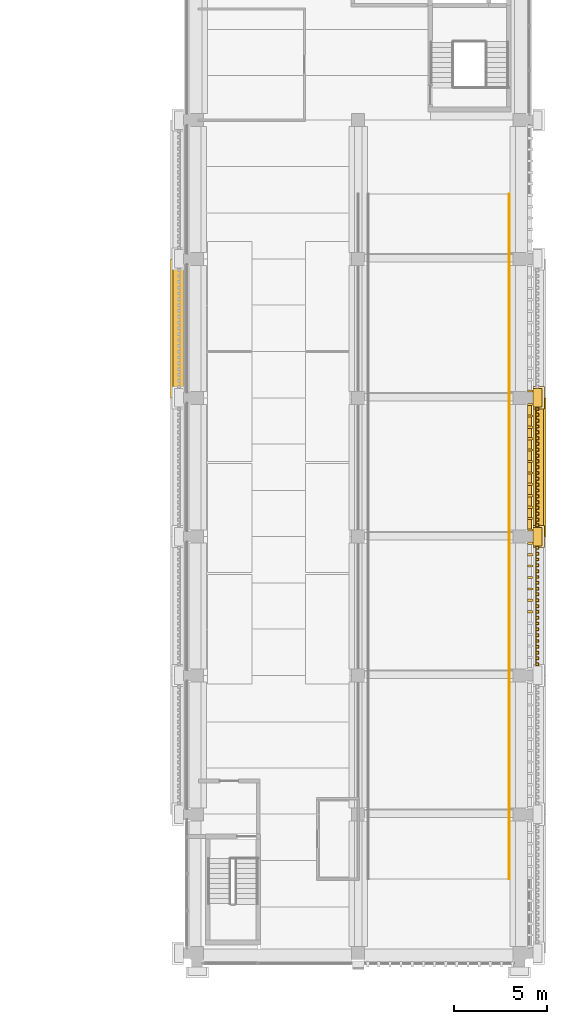
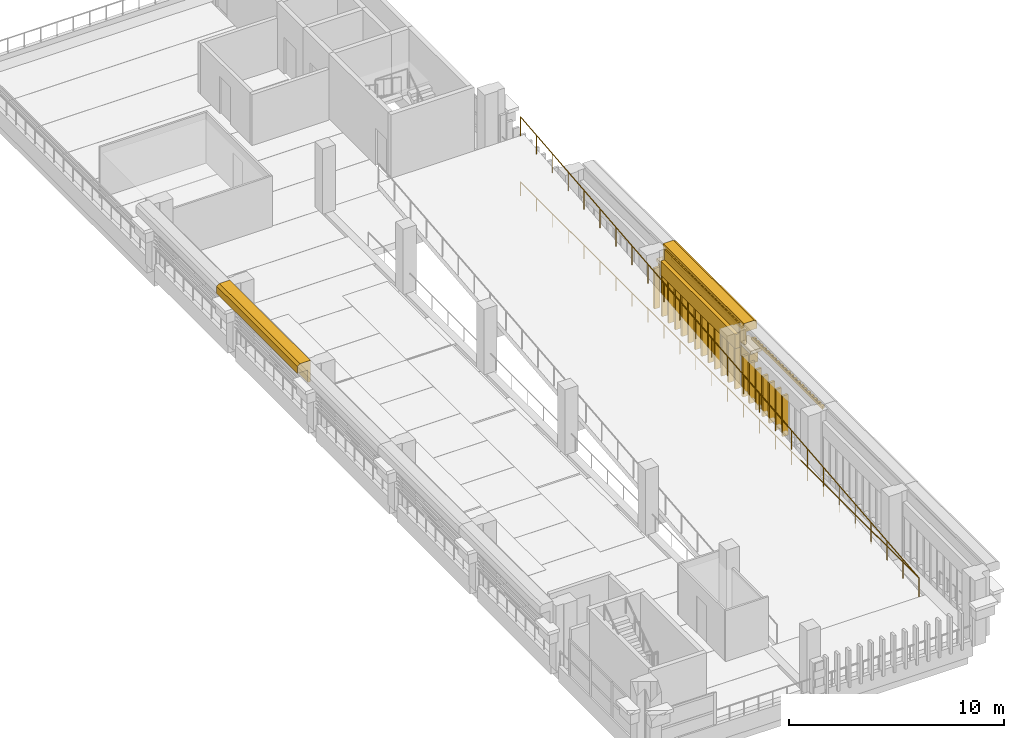
# One storey, part 21 of 25: 29 coverings, 2 railings.
"""IFC4 building model written with IfcOpenShell, lengths in metres."""

from ifc_helpers import new_model, si_unit, direction, frame, origin, origin_2d, place, context, subcontext, project, spatial, polyline, circle, outline, extrude, material, layer, layer_set, type_object, element, save


model = new_model("IFC4")

# Units and contexts
model_context = context("Model", 3, precision=1e-05, world=origin(), true_north=direction((0.0, 1.0)))
body_context = subcontext(model_context, "Body", "Model", "MODEL_VIEW")
ifc_project = project(units=[si_unit("LENGTHUNIT", "METRE"), si_unit("AREAUNIT", "SQUARE_METRE"), si_unit("VOLUMEUNIT", "CUBIC_METRE"), si_unit("PLANEANGLEUNIT", "RADIAN"), si_unit("MASSUNIT", "GRAM", prefix="KILO")], contexts=[model_context])

# Site, building, storey
site_placement = place(None, origin())
site = spatial("IfcSite", under=ifc_project, at=site_placement, CompositionType="ELEMENT")
building_placement = place(site_placement, origin())
building = spatial("IfcBuilding", under=site, at=building_placement, Name="Cour d'Honneur Mobility Palace", CompositionType="ELEMENT")
storey_placement = place(building_placement, frame((0.0, 0.0, 30.39990234375)))
storey = spatial("IfcBuildingStorey", under=building, at=storey_placement, Name="L08", CompositionType="ELEMENT", Elevation=30.39990234375)

# Coverings
ifc_material_1 = material(Name="Cast limestone", Category="masonry")
ifc_layer_1 = layer(ifc_material_1, 0.14990234375)
ifc_layer_set_1 = layer_set([ifc_layer_1], Name="Cast limestone")
covering_type_1 = type_object("IfcCoveringType", Name="Dentil course", PredefinedType="CLADDING", material=ifc_layer_set_1)
covering_1_placement = place(storey_placement, frame((0.0, 0.0, 3.150146484375)))
element("IfcCovering", 1, at=covering_1_placement, inside=storey, type_object=covering_type_1, Name="Dentil course DC-135", PredefinedType="CLADDING", context=body_context, shape_type="SweptSolid", body=[
    extrude(outline(polyline([(163.199951171875, 15.449951171875), (163.199951171875, 22.050048828125), (163.22998046875, 22.050048828125), (163.22998046875, 22.050048828125), (163.22998046875, 21.971435546875), (163.35009765625, 21.971435546875), (163.35009765625, 21.814208984375), (163.22998046875, 21.814208984375), (163.22998046875, 21.735595703125), (163.22998046875, 21.735595703125), (163.22998046875, 21.6572265625), (163.35009765625, 21.6572265625), (163.35009765625, 21.5), (163.22998046875, 21.5), (163.22998046875, 21.42138671875), (163.22998046875, 21.42138671875), (163.22998046875, 21.3427734375), (163.35009765625, 21.3427734375), (163.35009765625, 21.185791015625), (163.22998046875, 21.185791015625), (163.22998046875, 21.107177734375), (163.22998046875, 21.107177734375), (163.22998046875, 21.028564453125), (163.35009765625, 21.028564453125), (163.35009765625, 20.871337890625), (163.22998046875, 20.871337890625), (163.22998046875, 20.79296875), (163.22998046875, 20.79296875), (163.22998046875, 20.71435546875), (163.35009765625, 20.71435546875), (163.35009765625, 20.55712890625), (163.22998046875, 20.55712890625), (163.22998046875, 20.478515625), (163.22998046875, 20.478515625), (163.22998046875, 20.39990234375), (163.35009765625, 20.39990234375), (163.35009765625, 20.242919921875), (163.22998046875, 20.242919921875), (163.22998046875, 20.164306640625), (163.22998046875, 20.164306640625), (163.22998046875, 20.085693359375), (163.35009765625, 20.085693359375), (163.35009765625, 19.928466796875), (163.22998046875, 19.928466796875), (163.22998046875, 19.85009765625), (163.22998046875, 19.85009765625), (163.22998046875, 19.771484375), (163.35009765625, 19.771484375), (163.35009765625, 19.6142578125), (163.22998046875, 19.6142578125), (163.22998046875, 19.53564453125), (163.22998046875, 19.53564453125), (163.22998046875, 19.45703125), (163.35009765625, 19.45703125), (163.35009765625, 19.300048828125), (163.22998046875, 19.300048828125), (163.22998046875, 19.221435546875), (163.22998046875, 19.221435546875), (163.22998046875, 19.142822265625), (163.35009765625, 19.142822265625), (163.35009765625, 18.985595703125), (163.22998046875, 18.985595703125), (163.22998046875, 18.9072265625), (163.22998046875, 18.9072265625), (163.22998046875, 18.82861328125), (163.35009765625, 18.82861328125), (163.35009765625, 18.67138671875), (163.22998046875, 18.67138671875), (163.22998046875, 18.5927734375), (163.22998046875, 18.5927734375), (163.22998046875, 18.514404296875), (163.35009765625, 18.514404296875), (163.35009765625, 18.357177734375), (163.22998046875, 18.357177734375), (163.22998046875, 18.278564453125), (163.22998046875, 18.278564453125), (163.22998046875, 18.199951171875), (163.35009765625, 18.199951171875), (163.35009765625, 18.04296875), (163.22998046875, 18.04296875), (163.22998046875, 17.96435546875), (163.22998046875, 17.96435546875), (163.22998046875, 17.8857421875), (163.35009765625, 17.8857421875), (163.35009765625, 17.728515625), (163.22998046875, 17.728515625), (163.22998046875, 17.64990234375), (163.22998046875, 17.64990234375), (163.22998046875, 17.571533203125), (163.35009765625, 17.571533203125), (163.35009765625, 17.414306640625), (163.22998046875, 17.414306640625), (163.22998046875, 17.335693359375), (163.22998046875, 17.335693359375), (163.22998046875, 17.257080078125), (163.35009765625, 17.257080078125), (163.35009765625, 17.10009765625), (163.22998046875, 17.10009765625), (163.22998046875, 17.021484375), (163.22998046875, 17.021484375), (163.22998046875, 16.94287109375), (163.35009765625, 16.94287109375), (163.35009765625, 16.78564453125), (163.22998046875, 16.78564453125), (163.22998046875, 16.70703125), (163.22998046875, 16.70703125), (163.22998046875, 16.628662109375), (163.35009765625, 16.628662109375), (163.35009765625, 16.471435546875), (163.22998046875, 16.471435546875), (163.22998046875, 16.392822265625), (163.22998046875, 16.392822265625), (163.22998046875, 16.314208984375), (163.35009765625, 16.314208984375), (163.35009765625, 16.1572265625), (163.22998046875, 16.1572265625), (163.22998046875, 16.07861328125), (163.22998046875, 16.07861328125), (163.22998046875, 16.0), (163.35009765625, 16.0), (163.35009765625, 15.8427734375), (163.22998046875, 15.8427734375), (163.22998046875, 15.764404296875), (163.22998046875, 15.764404296875), (163.22998046875, 15.685791015625), (163.35009765625, 15.685791015625), (163.35009765625, 15.528564453125), (163.22998046875, 15.528564453125), (163.22998046875, 15.449951171875), (163.199951171875, 15.449951171875)])), origin(), (0.0, 0.0, 1.0), 0.14990234375),
])
covering_2_placement = place(storey_placement, frame((0.0, 0.0, 3.150146484375)))
element("IfcCovering", 2, at=covering_2_placement, inside=storey, type_object=covering_type_1, Name="Dentil course DC-136", PredefinedType="CLADDING", context=body_context, shape_type="SweptSolid", body=[
    extrude(outline(polyline([(163.199951171875, 22.949951171875), (163.199951171875, 29.550048828125), (163.22998046875, 29.550048828125), (163.22998046875, 29.550048828125), (163.22998046875, 29.471435546875), (163.35009765625, 29.471435546875), (163.35009765625, 29.314208984375), (163.22998046875, 29.314208984375), (163.22998046875, 29.235595703125), (163.22998046875, 29.235595703125), (163.22998046875, 29.1572265625), (163.35009765625, 29.1572265625), (163.35009765625, 29.0), (163.22998046875, 29.0), (163.22998046875, 28.92138671875), (163.22998046875, 28.92138671875), (163.22998046875, 28.8427734375), (163.35009765625, 28.8427734375), (163.35009765625, 28.685791015625), (163.22998046875, 28.685791015625), (163.22998046875, 28.607177734375), (163.22998046875, 28.607177734375), (163.22998046875, 28.528564453125), (163.35009765625, 28.528564453125), (163.35009765625, 28.371337890625), (163.22998046875, 28.371337890625), (163.22998046875, 28.29296875), (163.22998046875, 28.29296875), (163.22998046875, 28.21435546875), (163.35009765625, 28.21435546875), (163.35009765625, 28.05712890625), (163.22998046875, 28.05712890625), (163.22998046875, 27.978515625), (163.22998046875, 27.978515625), (163.22998046875, 27.89990234375), (163.35009765625, 27.89990234375), (163.35009765625, 27.742919921875), (163.22998046875, 27.742919921875), (163.22998046875, 27.664306640625), (163.22998046875, 27.664306640625), (163.22998046875, 27.585693359375), (163.35009765625, 27.585693359375), (163.35009765625, 27.428466796875), (163.22998046875, 27.428466796875), (163.22998046875, 27.35009765625), (163.22998046875, 27.35009765625), (163.22998046875, 27.271484375), (163.35009765625, 27.271484375), (163.35009765625, 27.1142578125), (163.22998046875, 27.1142578125), (163.22998046875, 27.03564453125), (163.22998046875, 27.03564453125), (163.22998046875, 26.95703125), (163.35009765625, 26.95703125), (163.35009765625, 26.800048828125), (163.22998046875, 26.800048828125), (163.22998046875, 26.721435546875), (163.22998046875, 26.721435546875), (163.22998046875, 26.642822265625), (163.35009765625, 26.642822265625), (163.35009765625, 26.485595703125), (163.22998046875, 26.485595703125), (163.22998046875, 26.4072265625), (163.22998046875, 26.4072265625), (163.22998046875, 26.32861328125), (163.35009765625, 26.32861328125), (163.35009765625, 26.17138671875), (163.22998046875, 26.17138671875), (163.22998046875, 26.0927734375), (163.22998046875, 26.0927734375), (163.22998046875, 26.014404296875), (163.35009765625, 26.014404296875), (163.35009765625, 25.857177734375), (163.22998046875, 25.857177734375), (163.22998046875, 25.778564453125), (163.22998046875, 25.778564453125), (163.22998046875, 25.699951171875), (163.35009765625, 25.699951171875), (163.35009765625, 25.54296875), (163.22998046875, 25.54296875), (163.22998046875, 25.46435546875), (163.22998046875, 25.46435546875), (163.22998046875, 25.3857421875), (163.35009765625, 25.3857421875), (163.35009765625, 25.228515625), (163.22998046875, 25.228515625), (163.22998046875, 25.14990234375), (163.22998046875, 25.14990234375), (163.22998046875, 25.071533203125), (163.35009765625, 25.071533203125), (163.35009765625, 24.914306640625), (163.22998046875, 24.914306640625), (163.22998046875, 24.835693359375), (163.22998046875, 24.835693359375), (163.22998046875, 24.757080078125), (163.35009765625, 24.757080078125), (163.35009765625, 24.60009765625), (163.22998046875, 24.60009765625), (163.22998046875, 24.521484375), (163.22998046875, 24.521484375), (163.22998046875, 24.44287109375), (163.35009765625, 24.44287109375), (163.35009765625, 24.28564453125), (163.22998046875, 24.28564453125), (163.22998046875, 24.20703125), (163.22998046875, 24.20703125), (163.22998046875, 24.128662109375), (163.35009765625, 24.128662109375), (163.35009765625, 23.971435546875), (163.22998046875, 23.971435546875), (163.22998046875, 23.892822265625), (163.22998046875, 23.892822265625), (163.22998046875, 23.814208984375), (163.35009765625, 23.814208984375), (163.35009765625, 23.6572265625), (163.22998046875, 23.6572265625), (163.22998046875, 23.57861328125), (163.22998046875, 23.57861328125), (163.22998046875, 23.5), (163.35009765625, 23.5), (163.35009765625, 23.3427734375), (163.22998046875, 23.3427734375), (163.22998046875, 23.264404296875), (163.22998046875, 23.264404296875), (163.22998046875, 23.185791015625), (163.35009765625, 23.185791015625), (163.35009765625, 23.028564453125), (163.22998046875, 23.028564453125), (163.22998046875, 22.949951171875), (163.199951171875, 22.949951171875)])), origin(), (0.0, 0.0, 1.0), 0.14990234375),
])
ifc_material_2 = material(Name="Cast limestone", Category="masonry")
ifc_layer_2 = layer(ifc_material_2, 0.699951171875)
ifc_layer_set_2 = layer_set([ifc_layer_2], Name="Cast limestone")
covering_type_2 = type_object("IfcCoveringType", Name="Entablature", PredefinedType="CLADDING", material=ifc_layer_set_2)
covering_3_placement = place(storey_placement, frame((163.050048828125, 22.5, 2.60009765625), z_axis=(0.0, -1.0, 0.0), x_axis=(1.0, 0.0, 0.0)))
element("IfcCovering", 3, at=covering_3_placement, inside=storey, type_object=covering_type_2, Name="Entablature EN-136", PredefinedType="CLADDING", context=body_context, shape_type="SweptSolid", body=[
    extrude(outline(polyline([(0.0, 0.0), (0.14990234375, 0.0), (0.14990234375, 0.699951171875), (0.699951171875, 0.699951171875), (0.699951171875, 1.10009765625), (0.550048828125, 1.199951171875), (0.0, 1.199951171875), (0.0, 0.0)])), origin(), (0.0, 0.0, -1.0), 7.5),
])
covering_4_placement = place(storey_placement, frame((144.14990234375, 37.5, 2.60009765625), z_axis=(0.0, 1.0, 0.0), x_axis=(-1.0, 0.0, 0.0)))
element("IfcCovering", 4, at=covering_4_placement, inside=storey, type_object=covering_type_2, Name="Entablature EN-139", PredefinedType="CLADDING", context=body_context, shape_type="SweptSolid", body=[
    extrude(outline(polyline([(0.0, 0.0), (0.14990234375, 0.0), (0.14990234375, 0.699951171875), (0.699951171875, 0.699951171875), (0.699951171875, 1.10009765625), (0.5498046875, 1.199951171875), (0.0, 1.199951171875), (0.0, 0.0)])), origin(), (0.0, 0.0, -1.0), 7.5),
])
ifc_material_3 = material(Name="Cast limestone", Category="masonry")
ifc_layer_3 = layer(ifc_material_3, 0.1201171875)
ifc_layer_set_3 = layer_set([ifc_layer_3], Name="Cast limestone")
covering_type_3 = type_object("IfcCoveringType", Name="Pilaster capital", PredefinedType="CLADDING", material=ifc_layer_set_3)
covering_5_placement = place(storey_placement, frame((0.0, 0.0, 1.800048828125)))
element("IfcCovering", 5, at=covering_5_placement, inside=storey, type_object=covering_type_3, Name="Pilaster capital PK-79", PredefinedType="CLADDING", context=body_context, shape_type="SweptSolid", body=[
    extrude(outline(polyline([(163.050048828125, 22.0), (163.050048828125, 23.0), (163.52001953125, 23.0), (163.52001953125, 22.0), (163.050048828125, 22.0)])), origin(), (0.0, 0.0, 1.0), 0.6201171875),
])
covering_6_placement = place(storey_placement, frame((0.0, 0.0, 2.420166015625)))
element("IfcCovering", 6, at=covering_6_placement, inside=storey, type_object=covering_type_3, Name="Pilaster capital PK-80", PredefinedType="CLADDING", context=body_context, shape_type="SweptSolid", body=[
    extrude(outline(polyline([(163.050048828125, 21.89990234375), (163.050048828125, 23.10009765625), (163.64990234375, 23.10009765625), (163.64990234375, 21.89990234375), (163.050048828125, 21.89990234375)])), origin(), (0.0, 0.0, 1.0), 0.179931640625),
])
covering_7_placement = place(storey_placement, frame((0.0, 0.0, 1.800048828125)))
element("IfcCovering", 7, at=covering_7_placement, inside=storey, type_object=covering_type_3, Name="Pilaster capital PK-81", PredefinedType="CLADDING", context=body_context, shape_type="SweptSolid", body=[
    extrude(outline(polyline([(163.050048828125, 29.5), (163.050048828125, 30.5), (163.52001953125, 30.5), (163.52001953125, 29.5), (163.050048828125, 29.5)])), origin(), (0.0, 0.0, 1.0), 0.6201171875),
])
covering_8_placement = place(storey_placement, frame((0.0, 0.0, 2.420166015625)))
element("IfcCovering", 8, at=covering_8_placement, inside=storey, type_object=covering_type_3, Name="Pilaster capital PK-82", PredefinedType="CLADDING", context=body_context, shape_type="SweptSolid", body=[
    extrude(outline(polyline([(163.050048828125, 29.39990234375), (163.050048828125, 30.60009765625), (163.64990234375, 30.60009765625), (163.64990234375, 29.39990234375), (163.050048828125, 29.39990234375)])), origin(), (0.0, 0.0, 1.0), 0.179931640625),
])

# Railing
ifc_material_4 = material(Name="Painted steel", Category="steel")
railing_type_1 = type_object("IfcRailingType", Name="Ramp guard 1100", PredefinedType="GUARDRAIL", material=ifc_material_4)
railing_1_placement = place(storey_placement, frame((161.75, 4.0, 0.0)))
element("IfcRailing", 9, at=railing_1_placement, inside=storey, type_object=railing_type_1, Name="Ramp guard Ramp East 9", PredefinedType="GUARDRAIL", context=body_context, shape_type="SweptSolid", body=[
    extrude(circle(Radius=0.02490234375, at=origin_2d()), frame((0.0, 0.0, 1.0751953125), z_axis=(0.0, 0.995036670145, 0.099508919531), x_axis=(-1.0, 0.0, 0.0)), (0.0, 0.0, 1.0), 37.1845703125),
    extrude(circle(Radius=0.02099609375, at=origin_2d()), origin(), (0.0, 0.0, 1.0), 1.050048828125),
    extrude(circle(Radius=0.02099609375, at=origin_2d()), frame((0.0, 1.47998046875, 0.14794921875)), (0.0, 0.0, 1.0), 1.050048828125),
    extrude(circle(Radius=0.02099609375, at=origin_2d()), frame((0.0, 2.9599609375, 0.2958984375)), (0.0, 0.0, 1.0), 1.050048828125),
    extrude(circle(Radius=0.02099609375, at=origin_2d()), frame((0.0, 4.43994140625, 0.444091796875)), (0.0, 0.0, 1.0), 1.050048828125),
    extrude(circle(Radius=0.02099609375, at=origin_2d()), frame((0.0, 5.919921875, 0.592041015625)), (0.0, 0.0, 1.0), 1.050048828125),
    extrude(circle(Radius=0.02099609375, at=origin_2d()), frame((0.0, 7.39990234375, 0.739990234375)), (0.0, 0.0, 1.0), 1.050048828125),
    extrude(circle(Radius=0.02099609375, at=origin_2d()), frame((0.0, 8.8798828125, 0.887939453125)), (0.0, 0.0, 1.0), 1.050048828125),
    extrude(circle(Radius=0.02099609375, at=origin_2d()), frame((0.0, 10.360107421875, 1.0361328125)), (0.0, 0.0, 1.0), 1.050048828125),
    extrude(circle(Radius=0.02099609375, at=origin_2d()), frame((0.0, 11.840087890625, 1.18408203125)), (0.0, 0.0, 1.0), 1.050048828125),
    extrude(circle(Radius=0.02099609375, at=origin_2d()), frame((0.0, 13.320068359375, 1.33203125)), (0.0, 0.0, 1.0), 1.050048828125),
    extrude(circle(Radius=0.02099609375, at=origin_2d()), frame((0.0, 14.800048828125, 1.47998046875)), (0.0, 0.0, 1.0), 1.050048828125),
    extrude(circle(Radius=0.02099609375, at=origin_2d()), frame((0.0, 16.280029296875, 1.628173828125)), (0.0, 0.0, 1.0), 1.050048828125),
    extrude(circle(Radius=0.02099609375, at=origin_2d()), frame((0.0, 17.760009765625, 1.776123046875)), (0.0, 0.0, 1.0), 1.050048828125),
    extrude(circle(Radius=0.02099609375, at=origin_2d()), frame((0.0, 19.239990234375, 1.924072265625)), (0.0, 0.0, 1.0), 1.050048828125),
    extrude(circle(Radius=0.02099609375, at=origin_2d()), frame((0.0, 20.719970703125, 2.072021484375)), (0.0, 0.0, 1.0), 1.050048828125),
    extrude(circle(Radius=0.02099609375, at=origin_2d()), frame((0.0, 22.199951171875, 2.22021484375)), (0.0, 0.0, 1.0), 1.050048828125),
    extrude(circle(Radius=0.02099609375, at=origin_2d()), frame((0.0, 23.679931640625, 2.3681640625)), (0.0, 0.0, 1.0), 1.050048828125),
    extrude(circle(Radius=0.02099609375, at=origin_2d()), frame((0.0, 25.159912109375, 2.51611328125)), (0.0, 0.0, 1.0), 1.050048828125),
    extrude(circle(Radius=0.02099609375, at=origin_2d()), frame((0.0, 26.639892578125, 2.6640625)), (0.0, 0.0, 1.0), 1.050048828125),
    extrude(circle(Radius=0.02099609375, at=origin_2d()), frame((0.0, 28.1201171875, 2.812255859375)), (0.0, 0.0, 1.0), 1.050048828125),
    extrude(circle(Radius=0.02099609375, at=origin_2d()), frame((0.0, 29.60009765625, 2.960205078125)), (0.0, 0.0, 1.0), 1.050048828125),
    extrude(circle(Radius=0.02099609375, at=origin_2d()), frame((0.0, 31.080078125, 3.108154296875)), (0.0, 0.0, 1.0), 1.050048828125),
    extrude(circle(Radius=0.02099609375, at=origin_2d()), frame((0.0, 32.56005859375, 3.256103515625)), (0.0, 0.0, 1.0), 1.050048828125),
    extrude(circle(Radius=0.02099609375, at=origin_2d()), frame((0.0, 34.0400390625, 3.404296875)), (0.0, 0.0, 1.0), 1.050048828125),
    extrude(circle(Radius=0.02099609375, at=origin_2d()), frame((0.0, 35.52001953125, 3.55224609375)), (0.0, 0.0, 1.0), 1.050048828125),
    extrude(circle(Radius=0.02099609375, at=origin_2d()), frame((0.0, 37.0, 3.7001953125)), (0.0, 0.0, 1.0), 1.050048828125),
])

# Coverings
ifc_material_5 = material(Name="Cast limestone", Category="masonry")
ifc_layer_4 = layer(ifc_material_5, 0.1201171875)
ifc_layer_set_4 = layer_set([ifc_layer_4], Name="Cast limestone")
covering_type_4 = type_object("IfcCoveringType", Name="Ramp screen fin", PredefinedType="CLADDING", material=ifc_layer_set_4)
covering_9_placement = place(storey_placement, origin())
element("IfcCovering", 10, at=covering_9_placement, inside=storey, type_object=covering_type_4, Name="Ramp screen fin E5.2 L08 6", PredefinedType="CLADDING", context=body_context, shape_type="SweptSolid", body=[
    extrude(outline(polyline([(162.75, 18.3818359375), (162.75, 18.501708984375), (163.050048828125, 18.501708984375), (163.050048828125, 18.3818359375), (162.75, 18.3818359375)])), origin(), (0.0, 0.0, 1.0), 2.300048828125),
])
covering_10_placement = place(storey_placement, origin())
element("IfcCovering", 11, at=covering_10_placement, inside=storey, type_object=covering_type_4, Name="Ramp screen fin E5.2 L08 7", PredefinedType="CLADDING", context=body_context, shape_type="SweptSolid", body=[
    extrude(outline(polyline([(162.75, 18.998291015625), (162.75, 19.1181640625), (163.050048828125, 19.1181640625), (163.050048828125, 18.998291015625), (162.75, 18.998291015625)])), origin(), (0.0, 0.0, 1.0), 2.300048828125),
])
covering_11_placement = place(storey_placement, origin())
element("IfcCovering", 12, at=covering_11_placement, inside=storey, type_object=covering_type_4, Name="Ramp screen fin E5.2 L08 8", PredefinedType="CLADDING", context=body_context, shape_type="SweptSolid", body=[
    extrude(outline(polyline([(162.75, 19.614501953125), (162.75, 19.734619140625), (163.050048828125, 19.734619140625), (163.050048828125, 19.614501953125), (162.75, 19.614501953125)])), origin(), (0.0, 0.0, 1.0), 2.300048828125),
])
covering_12_placement = place(storey_placement, origin())
element("IfcCovering", 13, at=covering_12_placement, inside=storey, type_object=covering_type_4, Name="Ramp screen fin E5.2 L08 9", PredefinedType="CLADDING", context=body_context, shape_type="SweptSolid", body=[
    extrude(outline(polyline([(162.75, 20.23095703125), (162.75, 20.350830078125), (163.050048828125, 20.350830078125), (163.050048828125, 20.23095703125), (162.75, 20.23095703125)])), origin(), (0.0, 0.0, 1.0), 2.300048828125),
])
covering_13_placement = place(storey_placement, origin())
element("IfcCovering", 14, at=covering_13_placement, inside=storey, type_object=covering_type_4, Name="Ramp screen fin E5.2 L08 10", PredefinedType="CLADDING", context=body_context, shape_type="SweptSolid", body=[
    extrude(outline(polyline([(162.75, 20.84716796875), (162.75, 20.96728515625), (163.050048828125, 20.96728515625), (163.050048828125, 20.84716796875), (162.75, 20.84716796875)])), origin(), (0.0, 0.0, 1.0), 2.300048828125),
])
covering_14_placement = place(storey_placement, origin())
element("IfcCovering", 15, at=covering_14_placement, inside=storey, type_object=covering_type_4, Name="Ramp screen fin E5.2 L08 11", PredefinedType="CLADDING", context=body_context, shape_type="SweptSolid", body=[
    extrude(outline(polyline([(162.75, 21.463623046875), (162.75, 21.583740234375), (163.050048828125, 21.583740234375), (163.050048828125, 21.463623046875), (162.75, 21.463623046875)])), origin(), (0.0, 0.0, 1.0), 2.300048828125),
])
covering_15_placement = place(storey_placement, origin())
element("IfcCovering", 16, at=covering_15_placement, inside=storey, type_object=covering_type_4, Name="Ramp screen fin E5.2 L08 12", PredefinedType="CLADDING", context=body_context, shape_type="SweptSolid", body=[
    extrude(outline(polyline([(162.75, 22.080078125), (162.75, 22.199951171875), (163.050048828125, 22.199951171875), (163.050048828125, 22.080078125), (162.75, 22.080078125)])), origin(), (0.0, 0.0, 1.0), 2.300048828125),
])
covering_16_placement = place(storey_placement, origin())
element("IfcCovering", 17, at=covering_16_placement, inside=storey, type_object=covering_type_4, Name="Ramp screen fin E5.3 L08 1", PredefinedType="CLADDING", context=body_context, shape_type="SweptSolid", body=[
    extrude(outline(polyline([(162.75, 22.800048828125), (162.75, 22.919921875), (163.050048828125, 22.919921875), (163.050048828125, 22.800048828125), (162.75, 22.800048828125)])), origin(), (0.0, 0.0, 1.0), 2.300048828125),
])
covering_17_placement = place(storey_placement, origin())
element("IfcCovering", 18, at=covering_17_placement, inside=storey, type_object=covering_type_4, Name="Ramp screen fin E5.3 L08 2", PredefinedType="CLADDING", context=body_context, shape_type="SweptSolid", body=[
    extrude(outline(polyline([(162.75, 23.416259765625), (162.75, 23.536376953125), (163.050048828125, 23.536376953125), (163.050048828125, 23.416259765625), (162.75, 23.416259765625)])), origin(), (0.0, 0.0, 1.0), 2.300048828125),
])
covering_18_placement = place(storey_placement, origin())
element("IfcCovering", 19, at=covering_18_placement, inside=storey, type_object=covering_type_4, Name="Ramp screen fin E5.3 L08 3", PredefinedType="CLADDING", context=body_context, shape_type="SweptSolid", body=[
    extrude(outline(polyline([(162.75, 24.03271484375), (162.75, 24.15283203125), (163.050048828125, 24.15283203125), (163.050048828125, 24.03271484375), (162.75, 24.03271484375)])), origin(), (0.0, 0.0, 1.0), 2.300048828125),
])
covering_19_placement = place(storey_placement, origin())
element("IfcCovering", 20, at=covering_19_placement, inside=storey, type_object=covering_type_4, Name="Ramp screen fin E5.3 L08 4", PredefinedType="CLADDING", context=body_context, shape_type="SweptSolid", body=[
    extrude(outline(polyline([(162.75, 24.649169921875), (162.75, 24.76904296875), (163.050048828125, 24.76904296875), (163.050048828125, 24.649169921875), (162.75, 24.649169921875)])), origin(), (0.0, 0.0, 1.0), 2.300048828125),
])
covering_20_placement = place(storey_placement, origin())
element("IfcCovering", 21, at=covering_20_placement, inside=storey, type_object=covering_type_4, Name="Ramp screen fin E5.3 L08 5", PredefinedType="CLADDING", context=body_context, shape_type="SweptSolid", body=[
    extrude(outline(polyline([(162.75, 25.265380859375), (162.75, 25.385498046875), (163.050048828125, 25.385498046875), (163.050048828125, 25.265380859375), (162.75, 25.265380859375)])), origin(), (0.0, 0.0, 1.0), 2.300048828125),
])
covering_21_placement = place(storey_placement, origin())
element("IfcCovering", 22, at=covering_21_placement, inside=storey, type_object=covering_type_4, Name="Ramp screen fin E5.3 L08 6", PredefinedType="CLADDING", context=body_context, shape_type="SweptSolid", body=[
    extrude(outline(polyline([(162.75, 25.8818359375), (162.75, 26.001708984375), (163.050048828125, 26.001708984375), (163.050048828125, 25.8818359375), (162.75, 25.8818359375)])), origin(), (0.0, 0.0, 1.0), 2.300048828125),
])
covering_22_placement = place(storey_placement, origin())
element("IfcCovering", 23, at=covering_22_placement, inside=storey, type_object=covering_type_4, Name="Ramp screen fin E5.3 L08 7", PredefinedType="CLADDING", context=body_context, shape_type="SweptSolid", body=[
    extrude(outline(polyline([(162.75, 26.498291015625), (162.75, 26.6181640625), (163.050048828125, 26.6181640625), (163.050048828125, 26.498291015625), (162.75, 26.498291015625)])), origin(), (0.0, 0.0, 1.0), 2.300048828125),
])
covering_23_placement = place(storey_placement, origin())
element("IfcCovering", 24, at=covering_23_placement, inside=storey, type_object=covering_type_4, Name="Ramp screen fin E5.3 L08 8", PredefinedType="CLADDING", context=body_context, shape_type="SweptSolid", body=[
    extrude(outline(polyline([(162.75, 27.114501953125), (162.75, 27.234619140625), (163.050048828125, 27.234619140625), (163.050048828125, 27.114501953125), (162.75, 27.114501953125)])), origin(), (0.0, 0.0, 1.0), 2.300048828125),
])
covering_24_placement = place(storey_placement, origin())
element("IfcCovering", 25, at=covering_24_placement, inside=storey, type_object=covering_type_4, Name="Ramp screen fin E5.3 L08 9", PredefinedType="CLADDING", context=body_context, shape_type="SweptSolid", body=[
    extrude(outline(polyline([(162.75, 27.73095703125), (162.75, 27.850830078125), (163.050048828125, 27.850830078125), (163.050048828125, 27.73095703125), (162.75, 27.73095703125)])), origin(), (0.0, 0.0, 1.0), 2.300048828125),
])
covering_25_placement = place(storey_placement, origin())
element("IfcCovering", 26, at=covering_25_placement, inside=storey, type_object=covering_type_4, Name="Ramp screen fin E5.3 L08 10", PredefinedType="CLADDING", context=body_context, shape_type="SweptSolid", body=[
    extrude(outline(polyline([(162.75, 28.34716796875), (162.75, 28.46728515625), (163.050048828125, 28.46728515625), (163.050048828125, 28.34716796875), (162.75, 28.34716796875)])), origin(), (0.0, 0.0, 1.0), 2.300048828125),
])
covering_26_placement = place(storey_placement, origin())
element("IfcCovering", 27, at=covering_26_placement, inside=storey, type_object=covering_type_4, Name="Ramp screen fin E5.3 L08 11", PredefinedType="CLADDING", context=body_context, shape_type="SweptSolid", body=[
    extrude(outline(polyline([(162.75, 28.963623046875), (162.75, 29.083740234375), (163.050048828125, 29.083740234375), (163.050048828125, 28.963623046875), (162.75, 28.963623046875)])), origin(), (0.0, 0.0, 1.0), 2.300048828125),
])
covering_27_placement = place(storey_placement, origin())
element("IfcCovering", 28, at=covering_27_placement, inside=storey, type_object=covering_type_4, Name="Ramp screen fin E5.3 L08 12", PredefinedType="CLADDING", context=body_context, shape_type="SweptSolid", body=[
    extrude(outline(polyline([(162.75, 29.580078125), (162.75, 29.699951171875), (163.050048828125, 29.699951171875), (163.050048828125, 29.580078125), (162.75, 29.580078125)])), origin(), (0.0, 0.0, 1.0), 2.300048828125),
])
covering_28_placement = place(storey_placement, origin())
element("IfcCovering", 29, at=covering_28_placement, inside=storey, type_object=covering_type_4, Name="Ramp screen fin E5.4 L08 1", PredefinedType="CLADDING", context=body_context, shape_type="SweptSolid", body=[
    extrude(outline(polyline([(162.75, 30.300048828125), (162.75, 30.419921875), (163.050048828125, 30.419921875), (163.050048828125, 30.300048828125), (162.75, 30.300048828125)])), origin(), (0.0, 0.0, 1.0), 2.300048828125),
])
ifc_material_6 = material(Name="Cast limestone", Category="masonry")
ifc_layer_5 = layer(ifc_material_6, 0.25)
ifc_layer_set_5 = layer_set([ifc_layer_5], Name="Cast limestone")
covering_type_5 = type_object("IfcCoveringType", Name="Spandrel cladding", PredefinedType="CLADDING", material=ifc_layer_set_5)
covering_29_placement = place(storey_placement, frame((162.75, 22.800048828125, 2.300048828125), z_axis=(0.0, -1.0, 0.0), x_axis=(1.0, 0.0, 0.0)))
element("IfcCovering", 30, at=covering_29_placement, inside=storey, type_object=covering_type_5, Name="Spandrel cladding SK-403", PredefinedType="CLADDING", context=body_context, shape_type="SweptSolid", body=[
    extrude(outline(polyline([(0.0, 0.0), (0.25, 0.0), (0.25, 1.400146484375), (0.199951171875, 1.400146484375), (0.199951171875, 0.800048828125), (0.0, 0.800048828125), (0.0, 0.0)])), origin(), (0.0, 0.0, -1.0), 6.89990234375),
])

# Railing
ifc_material_7 = material(Name="Painted steel", Category="steel")
railing_type_2 = type_object("IfcRailingType", Name="Void edge guard 1100", PredefinedType="GUARDRAIL", material=ifc_material_7)
railing_2_placement = place(storey_placement, frame((161.75, 4.0, 0.300048828125)))
element("IfcRailing", 31, at=railing_2_placement, inside=storey, type_object=railing_type_2, Name="Void edge guard SE L08", PredefinedType="GUARDRAIL", context=body_context, shape_type="SweptSolid", body=[
    extrude(circle(Radius=0.02490234375, at=origin_2d()), frame((0.0, 0.0, 0.77490234375), z_axis=(0.0, 1.0, 0.0), x_axis=(-1.0, 0.0, 0.0)), (0.0, 0.0, 1.0), 37.0),
    extrude(circle(Radius=0.02099609375, at=origin_2d()), origin(), (0.0, 0.0, 1.0), 0.75),
    extrude(circle(Radius=0.02099609375, at=origin_2d()), frame((0.0, 1.47998046875, 0.0)), (0.0, 0.0, 1.0), 0.75),
    extrude(circle(Radius=0.02099609375, at=origin_2d()), frame((0.0, 2.9599609375, 0.0)), (0.0, 0.0, 1.0), 0.75),
    extrude(circle(Radius=0.02099609375, at=origin_2d()), frame((0.0, 4.43994140625, 0.0)), (0.0, 0.0, 1.0), 0.75),
    extrude(circle(Radius=0.02099609375, at=origin_2d()), frame((0.0, 5.919921875, 0.0)), (0.0, 0.0, 1.0), 0.75),
    extrude(circle(Radius=0.02099609375, at=origin_2d()), frame((0.0, 7.39990234375, 0.0)), (0.0, 0.0, 1.0), 0.75),
    extrude(circle(Radius=0.02099609375, at=origin_2d()), frame((0.0, 8.8798828125, 0.0)), (0.0, 0.0, 1.0), 0.75),
    extrude(circle(Radius=0.02099609375, at=origin_2d()), frame((0.0, 10.360107421875, 0.0)), (0.0, 0.0, 1.0), 0.75),
    extrude(circle(Radius=0.02099609375, at=origin_2d()), frame((0.0, 11.840087890625, 0.0)), (0.0, 0.0, 1.0), 0.75),
    extrude(circle(Radius=0.02099609375, at=origin_2d()), frame((0.0, 13.320068359375, 0.0)), (0.0, 0.0, 1.0), 0.75),
    extrude(circle(Radius=0.02099609375, at=origin_2d()), frame((0.0, 14.800048828125, 0.0)), (0.0, 0.0, 1.0), 0.75),
    extrude(circle(Radius=0.02099609375, at=origin_2d()), frame((0.0, 16.280029296875, 0.0)), (0.0, 0.0, 1.0), 0.75),
    extrude(circle(Radius=0.02099609375, at=origin_2d()), frame((0.0, 17.760009765625, 0.0)), (0.0, 0.0, 1.0), 0.75),
    extrude(circle(Radius=0.02099609375, at=origin_2d()), frame((0.0, 19.239990234375, 0.0)), (0.0, 0.0, 1.0), 0.75),
    extrude(circle(Radius=0.02099609375, at=origin_2d()), frame((0.0, 20.719970703125, 0.0)), (0.0, 0.0, 1.0), 0.75),
    extrude(circle(Radius=0.02099609375, at=origin_2d()), frame((0.0, 22.199951171875, 0.0)), (0.0, 0.0, 1.0), 0.75),
    extrude(circle(Radius=0.02099609375, at=origin_2d()), frame((0.0, 23.679931640625, 0.0)), (0.0, 0.0, 1.0), 0.75),
    extrude(circle(Radius=0.02099609375, at=origin_2d()), frame((0.0, 25.159912109375, 0.0)), (0.0, 0.0, 1.0), 0.75),
    extrude(circle(Radius=0.02099609375, at=origin_2d()), frame((0.0, 26.639892578125, 0.0)), (0.0, 0.0, 1.0), 0.75),
    extrude(circle(Radius=0.02099609375, at=origin_2d()), frame((0.0, 28.1201171875, 0.0)), (0.0, 0.0, 1.0), 0.75),
    extrude(circle(Radius=0.02099609375, at=origin_2d()), frame((0.0, 29.60009765625, 0.0)), (0.0, 0.0, 1.0), 0.75),
    extrude(circle(Radius=0.02099609375, at=origin_2d()), frame((0.0, 31.080078125, 0.0)), (0.0, 0.0, 1.0), 0.75),
    extrude(circle(Radius=0.02099609375, at=origin_2d()), frame((0.0, 32.56005859375, 0.0)), (0.0, 0.0, 1.0), 0.75),
    extrude(circle(Radius=0.02099609375, at=origin_2d()), frame((0.0, 34.0400390625, 0.0)), (0.0, 0.0, 1.0), 0.75),
    extrude(circle(Radius=0.02099609375, at=origin_2d()), frame((0.0, 35.52001953125, 0.0)), (0.0, 0.0, 1.0), 0.75),
    extrude(circle(Radius=0.02099609375, at=origin_2d()), frame((0.0, 37.0, 0.0)), (0.0, 0.0, 1.0), 0.75),
])

save(model, "model.ifc")
